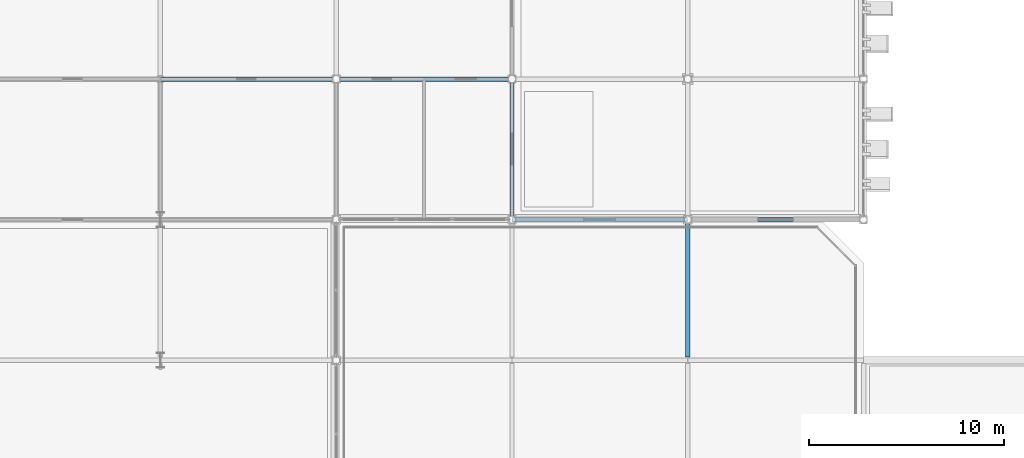
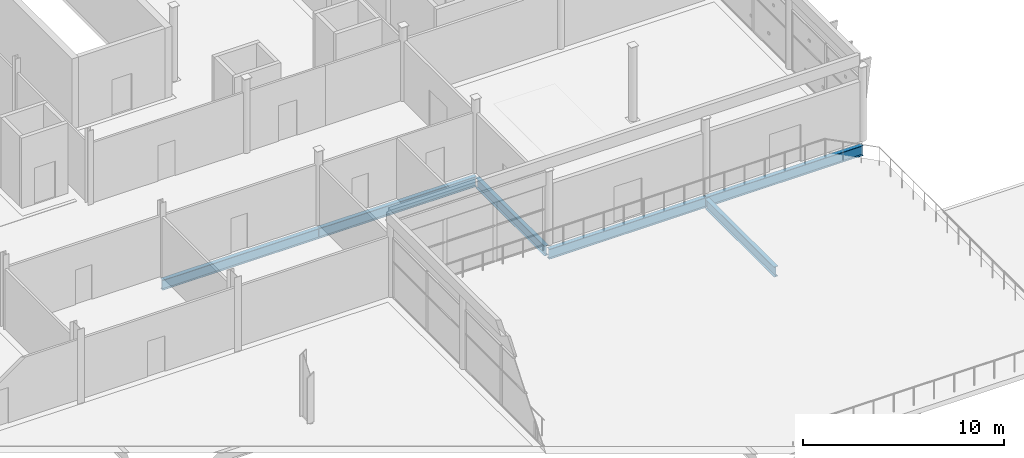
# One storey, part 18 of 52: 6 beams.
"""IFC4 building model written with IfcOpenShell, lengths in metres."""

from ifc_helpers import new_model, si_unit, direction, frame, origin, origin_2d, place, context, subcontext, project, spatial, i_section, extrude, material, material_profile, profile_set, type_object, element, save


model = new_model("IFC4")

# Units and contexts
model_context = context("Model", 3, precision=1e-05, world=origin(), true_north=direction((0.0, 1.0)))
body_context = subcontext(model_context, "Body", "Model", "MODEL_VIEW")
ifc_project = project(units=[si_unit("LENGTHUNIT", "METRE"), si_unit("AREAUNIT", "SQUARE_METRE"), si_unit("VOLUMEUNIT", "CUBIC_METRE"), si_unit("PLANEANGLEUNIT", "RADIAN"), si_unit("MASSUNIT", "GRAM", prefix="KILO")], contexts=[model_context])

# Site, building, storey
site_placement = place(None, origin())
site = spatial("IfcSite", under=ifc_project, at=site_placement, CompositionType="ELEMENT")
building_placement = place(site_placement, origin())
building = spatial("IfcBuilding", under=site, at=building_placement, Name="Celestram Park Convention Centre", CompositionType="ELEMENT")
storey_placement = place(building_placement, frame((0.0, 0.0, 24.300048828125)))
storey = spatial("IfcBuildingStorey", under=building, at=storey_placement, Name="L05", CompositionType="ELEMENT", Elevation=24.300048828125)

# Beams
ifc_material = material(Name="Steel ASTM A992 Grade 50", Category="steel")
ifc_material_profile = material_profile(ifc_material, i_section(OverallWidth=0.22900390625, OverallDepth=0.612060546875, WebThickness=0.011962890625, FlangeThickness=0.01953125, at=origin_2d()), Name="W24X84")
ifc_profile_set = profile_set([ifc_material_profile], Name="Steel ASTM A992 Grade 50")
beam_type = type_object("IfcBeamType", Name="STR-BM-W24X84", PredefinedType="BEAM", material=ifc_profile_set)
beam_1_placement = place(storey_placement, frame((63.006103515625, 136.800048828125, -0.546142578125), z_axis=(1.0, 0.0, 0.0), x_axis=(0.0, 1.0, 0.0)))
element("IfcBeam", 1, at=beam_1_placement, inside=storey, type_object=beam_type, Name="Primary X-girder BG-L05-0050", PredefinedType="BEAM", context=body_context, shape_type="SweptSolid", body=[
    extrude(i_section(OverallWidth=0.22900390625, OverallDepth=0.612060546875, WebThickness=0.011962890625, FlangeThickness=0.01953125, at=origin_2d()), origin(), (0.0, 0.0, 1.0), 8.989013671875),
])
for number, where, z_axis, x_axis, name in (
    (2, (72.0048828125, 136.800048828125, -0.546142578125), (1.0, 0.0, 0.0), (0.0, 1.0, 0.0), "Primary X-girder BG-L05-0062"),
    (3, (81.0048828125, 129.60009765625, -0.60595703125), (1.0, 0.0, 0.0), (0.0, 1.0, 0.0), "Primary X-girder BG-L05-0077"),
):
    element("IfcBeam", number, at=place(storey_placement, frame(where, z_axis=z_axis, x_axis=x_axis)), inside=storey, type_object=beam_type, Name=name, PredefinedType="BEAM", context=body_context, shape_type="SweptSolid", body=[
        extrude(i_section(OverallWidth=0.22900390625, OverallDepth=0.612060546875, WebThickness=0.011962890625, FlangeThickness=0.01953125, at=origin_2d()), origin(), (0.0, 0.0, 1.0), 8.990234375),
    ])
for number, where, z_axis, x_axis, name in (
    (4, (81.0, 129.77587890625, -0.546142578125), (0.0, 1.0, 0.0), (-1.0, 0.0, 0.0), "Primary Y-girder BG-L05-0078"),
    (5, (90.0, 122.575927734375, -0.60595703125), (0.0, 1.0, 0.0), (-1.0, 0.0, 0.0), "Primary Y-girder BG-L05-0090"),
):
    element("IfcBeam", number, at=place(storey_placement, frame(where, z_axis=z_axis, x_axis=x_axis)), inside=storey, type_object=beam_type, Name=name, PredefinedType="BEAM", context=body_context, shape_type="SweptSolid", body=[
        extrude(i_section(OverallWidth=0.22900390625, OverallDepth=0.612060546875, WebThickness=0.011962890625, FlangeThickness=0.01953125, at=origin_2d()), origin(), (0.0, 0.0, 1.0), 6.84814453125),
    ])
beam_2_placement = place(storey_placement, frame((90.0048828125, 129.60009765625, -0.60595703125), z_axis=(1.0, 0.0, 0.0), x_axis=(0.0, 1.0, 0.0)))
element("IfcBeam", 6, at=beam_2_placement, inside=storey, type_object=beam_type, Name="Primary X-girder BG-L05-0091", PredefinedType="BEAM", context=body_context, shape_type="SweptSolid", body=[
    extrude(i_section(OverallWidth=0.22900390625, OverallDepth=0.612060546875, WebThickness=0.011962890625, FlangeThickness=0.01953125, at=origin_2d()), origin(), (0.0, 0.0, 1.0), 8.990234375),
])

save(model, "model.ifc")
